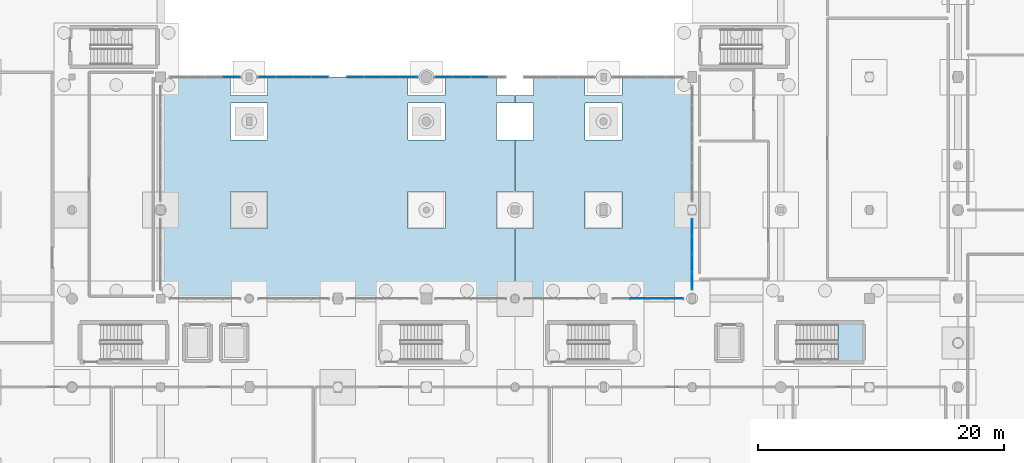
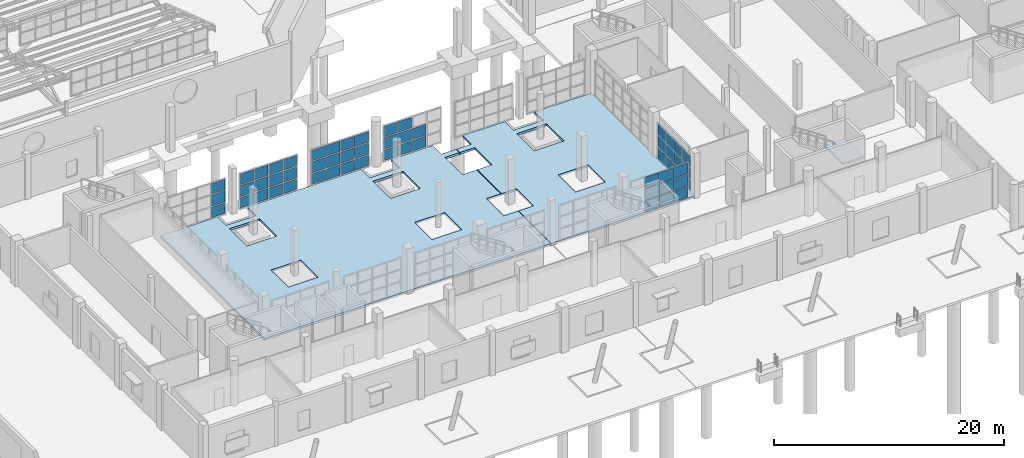
# One storey, part 182 of 285: 56 plates, 3 slabs, 7 elements without a shape of their own.
"""IFC4 building model written with IfcOpenShell, lengths in metres."""

from ifc_helpers import new_model, si_unit, direction, frame, origin, origin_2d, place, context, subcontext, project, spatial, polyline, rectangle, outline, extrude, material, layer, layer_set, type_object, element, aggregate, save


model = new_model("IFC4")

# Units and contexts
model_context = context("Model", 3, precision=1e-05, world=origin(), true_north=direction((0.0, 1.0)))
body_context = subcontext(model_context, "Body", "Model", "MODEL_VIEW")
ifc_project = project(units=[si_unit("LENGTHUNIT", "METRE"), si_unit("AREAUNIT", "SQUARE_METRE"), si_unit("VOLUMEUNIT", "CUBIC_METRE"), si_unit("PLANEANGLEUNIT", "RADIAN"), si_unit("MASSUNIT", "GRAM", prefix="KILO")], contexts=[model_context])

# Site, building, storey
site_placement = place(None, origin())
site = spatial("IfcSite", under=ifc_project, at=site_placement, CompositionType="ELEMENT")
building_placement = place(site_placement, origin())
building = spatial("IfcBuilding", under=site, at=building_placement, Name="Solanera Park Tramway Depot", CompositionType="ELEMENT")
storey_placement = place(building_placement, origin())
storey = spatial("IfcBuildingStorey", under=building, at=storey_placement, Name="L00", CompositionType="ELEMENT", Elevation=0.0)

# Curtain wall, plates
ifc_material_1 = material(Name="Bronze-anodised thermally broken aluminium curtain wall", Category="aluminium")
curtain_wall_type = type_object("IfcCurtainWallType", Name="Courtyard Cloister Unitised Curtain Wall", PredefinedType="NOTDEFINED", material=ifc_material_1)
curtain_wall_1_placement = place(storey_placement, origin())
curtain_wall_1 = element("IfcCurtainWall", 1, at=curtain_wall_1_placement, inside=storey, type_object=curtain_wall_type, Name="L00 Courtyard Cloister Unitised Curtain Wall #077", PredefinedType="NOTDEFINED")
ifc_material_2 = material(Name="Low-E laminated solar-control double glazing", Category="glass")
ifc_layer_1 = layer(ifc_material_2, 0.028076171875)
ifc_layer_set_1 = layer_set([ifc_layer_1], Name="Low-E laminated solar-control double glazing")
plate_type = type_object("IfcPlateType", Name="Curtain Wall Double Glazing Panel 28", PredefinedType="CURTAIN_PANEL", material=ifc_layer_set_1)
plate_1_placement = place(storey_placement, frame((161.27490234375, 25.199951171875, 0.11181640625), z_axis=(0.0, 0.0, 1.0), x_axis=(1.0, 0.0, 0.0)))
plate_1 = element("IfcPlate", 2, at=plate_1_placement, type_object=plate_type, Name="CW-L00-077 Glazing Panel R1.C2", PredefinedType="CURTAIN_PANEL", context=body_context, shape_type="SweptSolid", body=[
    extrude(rectangle(XDim=1.39794921875, YDim=0.028076171875, at=origin_2d()), origin(), (0.0, 0.0, 1.0), 1.119384765625),
])
plate_2_placement = place(storey_placement, frame((162.72509765625, 25.199951171875, 0.11181640625), z_axis=(0.0, 0.0, 1.0), x_axis=(1.0, 0.0, 0.0)))
plate_2 = element("IfcPlate", 3, at=plate_2_placement, type_object=plate_type, Name="CW-L00-077 Glazing Panel R1.C3", PredefinedType="CURTAIN_PANEL", context=body_context, shape_type="SweptSolid", body=[
    extrude(rectangle(XDim=1.39794921875, YDim=0.028076171875, at=origin_2d()), origin(), (0.0, 0.0, 1.0), 1.119384765625),
])
plate_3_placement = place(storey_placement, frame((164.15869140625, 25.199951171875, 0.11181640625), z_axis=(0.0, 0.0, 1.0), x_axis=(1.0, 0.0, 0.0)))
plate_3 = element("IfcPlate", 4, at=plate_3_placement, type_object=plate_type, Name="CW-L00-077 Glazing Panel R1.C4", PredefinedType="CURTAIN_PANEL", context=body_context, shape_type="SweptSolid", body=[
    extrude(rectangle(XDim=1.365478515625, YDim=0.028076171875, at=origin_2d()), origin(), (0.0, 0.0, 1.0), 1.119384765625),
])
plate_4_placement = place(storey_placement, frame((161.27490234375, 25.199951171875, 1.33544921875), z_axis=(0.0, 0.0, 1.0), x_axis=(1.0, 0.0, 0.0)))
plate_4 = element("IfcPlate", 5, at=plate_4_placement, type_object=plate_type, Name="CW-L00-077 Glazing Panel R2.C2", PredefinedType="CURTAIN_PANEL", context=body_context, shape_type="SweptSolid", body=[
    extrude(rectangle(XDim=1.39794921875, YDim=0.028076171875, at=origin_2d()), origin(), (0.0, 0.0, 1.0), 1.179443359375),
])
plate_5_placement = place(storey_placement, frame((162.72509765625, 25.199951171875, 1.33544921875), z_axis=(0.0, 0.0, 1.0), x_axis=(1.0, 0.0, 0.0)))
plate_5 = element("IfcPlate", 6, at=plate_5_placement, type_object=plate_type, Name="CW-L00-077 Glazing Panel R2.C3", PredefinedType="CURTAIN_PANEL", context=body_context, shape_type="SweptSolid", body=[
    extrude(rectangle(XDim=1.39794921875, YDim=0.028076171875, at=origin_2d()), origin(), (0.0, 0.0, 1.0), 1.179443359375),
])
plate_6_placement = place(storey_placement, frame((164.15869140625, 25.199951171875, 1.33544921875), z_axis=(0.0, 0.0, 1.0), x_axis=(1.0, 0.0, 0.0)))
plate_6 = element("IfcPlate", 7, at=plate_6_placement, type_object=plate_type, Name="CW-L00-077 Glazing Panel R2.C4", PredefinedType="CURTAIN_PANEL", context=body_context, shape_type="SweptSolid", body=[
    extrude(rectangle(XDim=1.365478515625, YDim=0.028076171875, at=origin_2d()), origin(), (0.0, 0.0, 1.0), 1.179443359375),
])
plate_7_placement = place(storey_placement, frame((161.27490234375, 25.199951171875, 2.61865234375), z_axis=(0.0, 0.0, 1.0), x_axis=(1.0, 0.0, 0.0)))
plate_7 = element("IfcPlate", 8, at=plate_7_placement, type_object=plate_type, Name="CW-L00-077 Glazing Panel R3.C2", PredefinedType="CURTAIN_PANEL", context=body_context, shape_type="SweptSolid", body=[
    extrude(rectangle(XDim=1.39794921875, YDim=0.028076171875, at=origin_2d()), origin(), (0.0, 0.0, 1.0), 1.119384765625),
])
plate_8_placement = place(storey_placement, frame((162.72509765625, 25.199951171875, 2.61865234375), z_axis=(0.0, 0.0, 1.0), x_axis=(1.0, 0.0, 0.0)))
plate_8 = element("IfcPlate", 9, at=plate_8_placement, type_object=plate_type, Name="CW-L00-077 Glazing Panel R3.C3", PredefinedType="CURTAIN_PANEL", context=body_context, shape_type="SweptSolid", body=[
    extrude(rectangle(XDim=1.39794921875, YDim=0.028076171875, at=origin_2d()), origin(), (0.0, 0.0, 1.0), 1.119384765625),
])
plate_9_placement = place(storey_placement, frame((164.15869140625, 25.199951171875, 2.61865234375), z_axis=(0.0, 0.0, 1.0), x_axis=(1.0, 0.0, 0.0)))
plate_9 = element("IfcPlate", 10, at=plate_9_placement, type_object=plate_type, Name="CW-L00-077 Glazing Panel R3.C4", PredefinedType="CURTAIN_PANEL", context=body_context, shape_type="SweptSolid", body=[
    extrude(rectangle(XDim=1.365478515625, YDim=0.028076171875, at=origin_2d()), origin(), (0.0, 0.0, 1.0), 1.119384765625),
])
aggregate(curtain_wall_1, [plate_1, plate_2, plate_3, plate_4, plate_5, plate_6, plate_7, plate_8, plate_9])

curtain_wall_2_placement = place(storey_placement, origin())
curtain_wall_2 = element("IfcCurtainWall", 11, at=curtain_wall_2_placement, inside=storey, type_object=curtain_wall_type, Name="L00 Courtyard Cloister Unitised Curtain Wall #078", PredefinedType="NOTDEFINED")
plate_10_placement = place(storey_placement, frame((128.15869140625, 43.199951171875, 0.11181640625), z_axis=(0.0, 0.0, 1.0), x_axis=(-1.0, 0.0, 0.0)))
plate_10 = element("IfcPlate", 12, at=plate_10_placement, type_object=plate_type, Name="CW-L00-078 Glazing Panel R1.C1", PredefinedType="CURTAIN_PANEL", context=body_context, shape_type="SweptSolid", body=[
    extrude(rectangle(XDim=1.365478515625, YDim=0.028076171875, at=origin_2d()), origin(), (0.0, 0.0, 1.0), 1.119384765625),
])
plate_11_placement = place(storey_placement, frame((128.15869140625, 43.199951171875, 1.33544921875), z_axis=(0.0, 0.0, 1.0), x_axis=(-1.0, 0.0, 0.0)))
plate_11 = element("IfcPlate", 13, at=plate_11_placement, type_object=plate_type, Name="CW-L00-078 Glazing Panel R2.C1", PredefinedType="CURTAIN_PANEL", context=body_context, shape_type="SweptSolid", body=[
    extrude(rectangle(XDim=1.365478515625, YDim=0.028076171875, at=origin_2d()), origin(), (0.0, 0.0, 1.0), 1.179443359375),
])
plate_12_placement = place(storey_placement, frame((128.15869140625, 43.199951171875, 2.61865234375), z_axis=(0.0, 0.0, 1.0), x_axis=(-1.0, 0.0, 0.0)))
plate_12 = element("IfcPlate", 14, at=plate_12_placement, type_object=plate_type, Name="CW-L00-078 Glazing Panel R3.C1", PredefinedType="CURTAIN_PANEL", context=body_context, shape_type="SweptSolid", body=[
    extrude(rectangle(XDim=1.365478515625, YDim=0.028076171875, at=origin_2d()), origin(), (0.0, 0.0, 1.0), 1.119384765625),
])
aggregate(curtain_wall_2, [plate_10, plate_11, plate_12])

curtain_wall_3_placement = place(storey_placement, origin())
curtain_wall_3 = element("IfcCurtainWall", 15, at=curtain_wall_3_placement, inside=storey, type_object=curtain_wall_type, Name="L00 Courtyard Cloister Unitised Curtain Wall #079", PredefinedType="NOTDEFINED")
plate_13_placement = place(storey_placement, frame((135.358642578125, 43.199951171875, 0.11181640625), z_axis=(0.0, 0.0, 1.0), x_axis=(-1.0, 0.0, 0.0)))
plate_13 = element("IfcPlate", 16, at=plate_13_placement, type_object=plate_type, Name="CW-L00-079 Glazing Panel R1.C1", PredefinedType="CURTAIN_PANEL", context=body_context, shape_type="SweptSolid", body=[
    extrude(rectangle(XDim=1.365478515625, YDim=0.028076171875, at=origin_2d()), origin(), (0.0, 0.0, 1.0), 1.119384765625),
])
plate_14_placement = place(storey_placement, frame((133.925048828125, 43.199951171875, 0.11181640625), z_axis=(0.0, 0.0, 1.0), x_axis=(-1.0, 0.0, 0.0)))
plate_14 = element("IfcPlate", 17, at=plate_14_placement, type_object=plate_type, Name="CW-L00-079 Glazing Panel R1.C2", PredefinedType="CURTAIN_PANEL", context=body_context, shape_type="SweptSolid", body=[
    extrude(rectangle(XDim=1.39794921875, YDim=0.028076171875, at=origin_2d()), origin(), (0.0, 0.0, 1.0), 1.119384765625),
])
plate_15_placement = place(storey_placement, frame((132.47509765625, 43.199951171875, 0.11181640625), z_axis=(0.0, 0.0, 1.0), x_axis=(-1.0, 0.0, 0.0)))
plate_15 = element("IfcPlate", 18, at=plate_15_placement, type_object=plate_type, Name="CW-L00-079 Glazing Panel R1.C3", PredefinedType="CURTAIN_PANEL", context=body_context, shape_type="SweptSolid", body=[
    extrude(rectangle(XDim=1.39794921875, YDim=0.028076171875, at=origin_2d()), origin(), (0.0, 0.0, 1.0), 1.119384765625),
])
plate_16_placement = place(storey_placement, frame((131.041259765625, 43.199951171875, 0.11181640625), z_axis=(0.0, 0.0, 1.0), x_axis=(-1.0, 0.0, 0.0)))
plate_16 = element("IfcPlate", 19, at=plate_16_placement, type_object=plate_type, Name="CW-L00-079 Glazing Panel R1.C4", PredefinedType="CURTAIN_PANEL", context=body_context, shape_type="SweptSolid", body=[
    extrude(rectangle(XDim=1.365478515625, YDim=0.028076171875, at=origin_2d()), origin(), (0.0, 0.0, 1.0), 1.119384765625),
])
plate_17_placement = place(storey_placement, frame((135.358642578125, 43.199951171875, 1.33544921875), z_axis=(0.0, 0.0, 1.0), x_axis=(-1.0, 0.0, 0.0)))
plate_17 = element("IfcPlate", 20, at=plate_17_placement, type_object=plate_type, Name="CW-L00-079 Glazing Panel R2.C1", PredefinedType="CURTAIN_PANEL", context=body_context, shape_type="SweptSolid", body=[
    extrude(rectangle(XDim=1.365478515625, YDim=0.028076171875, at=origin_2d()), origin(), (0.0, 0.0, 1.0), 1.179443359375),
])
plate_18_placement = place(storey_placement, frame((133.925048828125, 43.199951171875, 1.33544921875), z_axis=(0.0, 0.0, 1.0), x_axis=(-1.0, 0.0, 0.0)))
plate_18 = element("IfcPlate", 21, at=plate_18_placement, type_object=plate_type, Name="CW-L00-079 Glazing Panel R2.C2", PredefinedType="CURTAIN_PANEL", context=body_context, shape_type="SweptSolid", body=[
    extrude(rectangle(XDim=1.39794921875, YDim=0.028076171875, at=origin_2d()), origin(), (0.0, 0.0, 1.0), 1.179443359375),
])
plate_19_placement = place(storey_placement, frame((132.47509765625, 43.199951171875, 1.33544921875), z_axis=(0.0, 0.0, 1.0), x_axis=(-1.0, 0.0, 0.0)))
plate_19 = element("IfcPlate", 22, at=plate_19_placement, type_object=plate_type, Name="CW-L00-079 Glazing Panel R2.C3", PredefinedType="CURTAIN_PANEL", context=body_context, shape_type="SweptSolid", body=[
    extrude(rectangle(XDim=1.39794921875, YDim=0.028076171875, at=origin_2d()), origin(), (0.0, 0.0, 1.0), 1.179443359375),
])
plate_20_placement = place(storey_placement, frame((131.041259765625, 43.199951171875, 1.33544921875), z_axis=(0.0, 0.0, 1.0), x_axis=(-1.0, 0.0, 0.0)))
plate_20 = element("IfcPlate", 23, at=plate_20_placement, type_object=plate_type, Name="CW-L00-079 Glazing Panel R2.C4", PredefinedType="CURTAIN_PANEL", context=body_context, shape_type="SweptSolid", body=[
    extrude(rectangle(XDim=1.365478515625, YDim=0.028076171875, at=origin_2d()), origin(), (0.0, 0.0, 1.0), 1.179443359375),
])
plate_21_placement = place(storey_placement, frame((135.358642578125, 43.199951171875, 2.61865234375), z_axis=(0.0, 0.0, 1.0), x_axis=(-1.0, 0.0, 0.0)))
plate_21 = element("IfcPlate", 24, at=plate_21_placement, type_object=plate_type, Name="CW-L00-079 Glazing Panel R3.C1", PredefinedType="CURTAIN_PANEL", context=body_context, shape_type="SweptSolid", body=[
    extrude(rectangle(XDim=1.365478515625, YDim=0.028076171875, at=origin_2d()), origin(), (0.0, 0.0, 1.0), 1.119384765625),
])
plate_22_placement = place(storey_placement, frame((133.925048828125, 43.199951171875, 2.61865234375), z_axis=(0.0, 0.0, 1.0), x_axis=(-1.0, 0.0, 0.0)))
plate_22 = element("IfcPlate", 25, at=plate_22_placement, type_object=plate_type, Name="CW-L00-079 Glazing Panel R3.C2", PredefinedType="CURTAIN_PANEL", context=body_context, shape_type="SweptSolid", body=[
    extrude(rectangle(XDim=1.39794921875, YDim=0.028076171875, at=origin_2d()), origin(), (0.0, 0.0, 1.0), 1.119384765625),
])
plate_23_placement = place(storey_placement, frame((132.47509765625, 43.199951171875, 2.61865234375), z_axis=(0.0, 0.0, 1.0), x_axis=(-1.0, 0.0, 0.0)))
plate_23 = element("IfcPlate", 26, at=plate_23_placement, type_object=plate_type, Name="CW-L00-079 Glazing Panel R3.C3", PredefinedType="CURTAIN_PANEL", context=body_context, shape_type="SweptSolid", body=[
    extrude(rectangle(XDim=1.39794921875, YDim=0.028076171875, at=origin_2d()), origin(), (0.0, 0.0, 1.0), 1.119384765625),
])
plate_24_placement = place(storey_placement, frame((131.041259765625, 43.199951171875, 2.61865234375), z_axis=(0.0, 0.0, 1.0), x_axis=(-1.0, 0.0, 0.0)))
plate_24 = element("IfcPlate", 27, at=plate_24_placement, type_object=plate_type, Name="CW-L00-079 Glazing Panel R3.C4", PredefinedType="CURTAIN_PANEL", context=body_context, shape_type="SweptSolid", body=[
    extrude(rectangle(XDim=1.365478515625, YDim=0.028076171875, at=origin_2d()), origin(), (0.0, 0.0, 1.0), 1.119384765625),
])
aggregate(curtain_wall_3, [plate_13, plate_14, plate_15, plate_16, plate_17, plate_18, plate_19, plate_20, plate_21, plate_22, plate_23, plate_24])

curtain_wall_4_placement = place(storey_placement, origin())
curtain_wall_4 = element("IfcCurtainWall", 28, at=curtain_wall_4_placement, inside=storey, type_object=curtain_wall_type, Name="L00 Courtyard Cloister Unitised Curtain Wall #080", PredefinedType="NOTDEFINED")
plate_25_placement = place(storey_placement, frame((142.558837890625, 43.199951171875, 0.11181640625), z_axis=(0.0, 0.0, 1.0), x_axis=(-1.0, 0.0, 0.0)))
plate_25 = element("IfcPlate", 29, at=plate_25_placement, type_object=plate_type, Name="CW-L00-080 Glazing Panel R1.C1", PredefinedType="CURTAIN_PANEL", context=body_context, shape_type="SweptSolid", body=[
    extrude(rectangle(XDim=1.365478515625, YDim=0.028076171875, at=origin_2d()), origin(), (0.0, 0.0, 1.0), 1.119384765625),
])
plate_26_placement = place(storey_placement, frame((141.125, 43.199951171875, 0.11181640625), z_axis=(0.0, 0.0, 1.0), x_axis=(-1.0, 0.0, 0.0)))
plate_26 = element("IfcPlate", 30, at=plate_26_placement, type_object=plate_type, Name="CW-L00-080 Glazing Panel R1.C2", PredefinedType="CURTAIN_PANEL", context=body_context, shape_type="SweptSolid", body=[
    extrude(rectangle(XDim=1.39794921875, YDim=0.028076171875, at=origin_2d()), origin(), (0.0, 0.0, 1.0), 1.119384765625),
])
plate_27_placement = place(storey_placement, frame((139.675048828125, 43.199951171875, 0.11181640625), z_axis=(0.0, 0.0, 1.0), x_axis=(-1.0, 0.0, 0.0)))
plate_27 = element("IfcPlate", 31, at=plate_27_placement, type_object=plate_type, Name="CW-L00-080 Glazing Panel R1.C3", PredefinedType="CURTAIN_PANEL", context=body_context, shape_type="SweptSolid", body=[
    extrude(rectangle(XDim=1.39794921875, YDim=0.028076171875, at=origin_2d()), origin(), (0.0, 0.0, 1.0), 1.119384765625),
])
plate_28_placement = place(storey_placement, frame((138.2412109375, 43.199951171875, 0.11181640625), z_axis=(0.0, 0.0, 1.0), x_axis=(-1.0, 0.0, 0.0)))
plate_28 = element("IfcPlate", 32, at=plate_28_placement, type_object=plate_type, Name="CW-L00-080 Glazing Panel R1.C4", PredefinedType="CURTAIN_PANEL", context=body_context, shape_type="SweptSolid", body=[
    extrude(rectangle(XDim=1.365478515625, YDim=0.028076171875, at=origin_2d()), origin(), (0.0, 0.0, 1.0), 1.119384765625),
])
plate_29_placement = place(storey_placement, frame((142.558837890625, 43.199951171875, 1.33544921875), z_axis=(0.0, 0.0, 1.0), x_axis=(-1.0, 0.0, 0.0)))
plate_29 = element("IfcPlate", 33, at=plate_29_placement, type_object=plate_type, Name="CW-L00-080 Glazing Panel R2.C1", PredefinedType="CURTAIN_PANEL", context=body_context, shape_type="SweptSolid", body=[
    extrude(rectangle(XDim=1.365478515625, YDim=0.028076171875, at=origin_2d()), origin(), (0.0, 0.0, 1.0), 1.179443359375),
])
plate_30_placement = place(storey_placement, frame((141.125, 43.199951171875, 1.33544921875), z_axis=(0.0, 0.0, 1.0), x_axis=(-1.0, 0.0, 0.0)))
plate_30 = element("IfcPlate", 34, at=plate_30_placement, type_object=plate_type, Name="CW-L00-080 Glazing Panel R2.C2", PredefinedType="CURTAIN_PANEL", context=body_context, shape_type="SweptSolid", body=[
    extrude(rectangle(XDim=1.39794921875, YDim=0.028076171875, at=origin_2d()), origin(), (0.0, 0.0, 1.0), 1.179443359375),
])
plate_31_placement = place(storey_placement, frame((139.675048828125, 43.199951171875, 1.33544921875), z_axis=(0.0, 0.0, 1.0), x_axis=(-1.0, 0.0, 0.0)))
plate_31 = element("IfcPlate", 35, at=plate_31_placement, type_object=plate_type, Name="CW-L00-080 Glazing Panel R2.C3", PredefinedType="CURTAIN_PANEL", context=body_context, shape_type="SweptSolid", body=[
    extrude(rectangle(XDim=1.39794921875, YDim=0.028076171875, at=origin_2d()), origin(), (0.0, 0.0, 1.0), 1.179443359375),
])
plate_32_placement = place(storey_placement, frame((138.2412109375, 43.199951171875, 1.33544921875), z_axis=(0.0, 0.0, 1.0), x_axis=(-1.0, 0.0, 0.0)))
plate_32 = element("IfcPlate", 36, at=plate_32_placement, type_object=plate_type, Name="CW-L00-080 Glazing Panel R2.C4", PredefinedType="CURTAIN_PANEL", context=body_context, shape_type="SweptSolid", body=[
    extrude(rectangle(XDim=1.365478515625, YDim=0.028076171875, at=origin_2d()), origin(), (0.0, 0.0, 1.0), 1.179443359375),
])
plate_33_placement = place(storey_placement, frame((142.558837890625, 43.199951171875, 2.61865234375), z_axis=(0.0, 0.0, 1.0), x_axis=(-1.0, 0.0, 0.0)))
plate_33 = element("IfcPlate", 37, at=plate_33_placement, type_object=plate_type, Name="CW-L00-080 Glazing Panel R3.C1", PredefinedType="CURTAIN_PANEL", context=body_context, shape_type="SweptSolid", body=[
    extrude(rectangle(XDim=1.365478515625, YDim=0.028076171875, at=origin_2d()), origin(), (0.0, 0.0, 1.0), 1.119384765625),
])
plate_34_placement = place(storey_placement, frame((141.125, 43.199951171875, 2.61865234375), z_axis=(0.0, 0.0, 1.0), x_axis=(-1.0, 0.0, 0.0)))
plate_34 = element("IfcPlate", 38, at=plate_34_placement, type_object=plate_type, Name="CW-L00-080 Glazing Panel R3.C2", PredefinedType="CURTAIN_PANEL", context=body_context, shape_type="SweptSolid", body=[
    extrude(rectangle(XDim=1.39794921875, YDim=0.028076171875, at=origin_2d()), origin(), (0.0, 0.0, 1.0), 1.119384765625),
])
plate_35_placement = place(storey_placement, frame((139.675048828125, 43.199951171875, 2.61865234375), z_axis=(0.0, 0.0, 1.0), x_axis=(-1.0, 0.0, 0.0)))
plate_35 = element("IfcPlate", 39, at=plate_35_placement, type_object=plate_type, Name="CW-L00-080 Glazing Panel R3.C3", PredefinedType="CURTAIN_PANEL", context=body_context, shape_type="SweptSolid", body=[
    extrude(rectangle(XDim=1.39794921875, YDim=0.028076171875, at=origin_2d()), origin(), (0.0, 0.0, 1.0), 1.119384765625),
])
plate_36_placement = place(storey_placement, frame((138.2412109375, 43.199951171875, 2.61865234375), z_axis=(0.0, 0.0, 1.0), x_axis=(-1.0, 0.0, 0.0)))
plate_36 = element("IfcPlate", 40, at=plate_36_placement, type_object=plate_type, Name="CW-L00-080 Glazing Panel R3.C4", PredefinedType="CURTAIN_PANEL", context=body_context, shape_type="SweptSolid", body=[
    extrude(rectangle(XDim=1.365478515625, YDim=0.028076171875, at=origin_2d()), origin(), (0.0, 0.0, 1.0), 1.119384765625),
])
aggregate(curtain_wall_4, [plate_25, plate_26, plate_27, plate_28, plate_29, plate_30, plate_31, plate_32, plate_33, plate_34, plate_35, plate_36])

curtain_wall_5_placement = place(storey_placement, origin())
curtain_wall_5 = element("IfcCurtainWall", 41, at=curtain_wall_5_placement, inside=storey, type_object=curtain_wall_type, Name="L00 Courtyard Cloister Unitised Curtain Wall #081", PredefinedType="NOTDEFINED")
plate_37_placement = place(storey_placement, frame((148.324951171875, 43.199951171875, 0.11181640625), z_axis=(0.0, 0.0, 1.0), x_axis=(-1.0, 0.0, 0.0)))
plate_37 = element("IfcPlate", 42, at=plate_37_placement, type_object=plate_type, Name="CW-L00-081 Glazing Panel R1.C2", PredefinedType="CURTAIN_PANEL", context=body_context, shape_type="SweptSolid", body=[
    extrude(rectangle(XDim=1.39794921875, YDim=0.028076171875, at=origin_2d()), origin(), (0.0, 0.0, 1.0), 1.119384765625),
])
plate_38_placement = place(storey_placement, frame((146.875, 43.199951171875, 0.11181640625), z_axis=(0.0, 0.0, 1.0), x_axis=(-1.0, 0.0, 0.0)))
plate_38 = element("IfcPlate", 43, at=plate_38_placement, type_object=plate_type, Name="CW-L00-081 Glazing Panel R1.C3", PredefinedType="CURTAIN_PANEL", context=body_context, shape_type="SweptSolid", body=[
    extrude(rectangle(XDim=1.39794921875, YDim=0.028076171875, at=origin_2d()), origin(), (0.0, 0.0, 1.0), 1.119384765625),
])
plate_39_placement = place(storey_placement, frame((145.441162109375, 43.199951171875, 0.11181640625), z_axis=(0.0, 0.0, 1.0), x_axis=(-1.0, 0.0, 0.0)))
plate_39 = element("IfcPlate", 44, at=plate_39_placement, type_object=plate_type, Name="CW-L00-081 Glazing Panel R1.C4", PredefinedType="CURTAIN_PANEL", context=body_context, shape_type="SweptSolid", body=[
    extrude(rectangle(XDim=1.365478515625, YDim=0.028076171875, at=origin_2d()), origin(), (0.0, 0.0, 1.0), 1.119384765625),
])
plate_40_placement = place(storey_placement, frame((148.324951171875, 43.199951171875, 1.33544921875), z_axis=(0.0, 0.0, 1.0), x_axis=(-1.0, 0.0, 0.0)))
plate_40 = element("IfcPlate", 45, at=plate_40_placement, type_object=plate_type, Name="CW-L00-081 Glazing Panel R2.C2", PredefinedType="CURTAIN_PANEL", context=body_context, shape_type="SweptSolid", body=[
    extrude(rectangle(XDim=1.39794921875, YDim=0.028076171875, at=origin_2d()), origin(), (0.0, 0.0, 1.0), 1.179443359375),
])
plate_41_placement = place(storey_placement, frame((146.875, 43.199951171875, 1.33544921875), z_axis=(0.0, 0.0, 1.0), x_axis=(-1.0, 0.0, 0.0)))
plate_41 = element("IfcPlate", 46, at=plate_41_placement, type_object=plate_type, Name="CW-L00-081 Glazing Panel R2.C3", PredefinedType="CURTAIN_PANEL", context=body_context, shape_type="SweptSolid", body=[
    extrude(rectangle(XDim=1.39794921875, YDim=0.028076171875, at=origin_2d()), origin(), (0.0, 0.0, 1.0), 1.179443359375),
])
plate_42_placement = place(storey_placement, frame((145.441162109375, 43.199951171875, 1.33544921875), z_axis=(0.0, 0.0, 1.0), x_axis=(-1.0, 0.0, 0.0)))
plate_42 = element("IfcPlate", 47, at=plate_42_placement, type_object=plate_type, Name="CW-L00-081 Glazing Panel R2.C4", PredefinedType="CURTAIN_PANEL", context=body_context, shape_type="SweptSolid", body=[
    extrude(rectangle(XDim=1.365478515625, YDim=0.028076171875, at=origin_2d()), origin(), (0.0, 0.0, 1.0), 1.179443359375),
])
plate_43_placement = place(storey_placement, frame((146.875, 43.199951171875, 2.61865234375), z_axis=(0.0, 0.0, 1.0), x_axis=(-1.0, 0.0, 0.0)))
plate_43 = element("IfcPlate", 48, at=plate_43_placement, type_object=plate_type, Name="CW-L00-081 Glazing Panel R3.C3", PredefinedType="CURTAIN_PANEL", context=body_context, shape_type="SweptSolid", body=[
    extrude(rectangle(XDim=1.39794921875, YDim=0.028076171875, at=origin_2d()), origin(), (0.0, 0.0, 1.0), 1.119384765625),
])
plate_44_placement = place(storey_placement, frame((145.441162109375, 43.199951171875, 2.61865234375), z_axis=(0.0, 0.0, 1.0), x_axis=(-1.0, 0.0, 0.0)))
plate_44 = element("IfcPlate", 49, at=plate_44_placement, type_object=plate_type, Name="CW-L00-081 Glazing Panel R3.C4", PredefinedType="CURTAIN_PANEL", context=body_context, shape_type="SweptSolid", body=[
    extrude(rectangle(XDim=1.365478515625, YDim=0.028076171875, at=origin_2d()), origin(), (0.0, 0.0, 1.0), 1.119384765625),
])
aggregate(curtain_wall_5, [plate_37, plate_38, plate_39, plate_40, plate_41, plate_42, plate_43, plate_44])

curtain_wall_6_placement = place(storey_placement, origin())
curtain_wall_6 = element("IfcCurtainWall", 50, at=curtain_wall_6_placement, inside=storey, type_object=curtain_wall_type, Name="L00 Courtyard Cloister Unitised Curtain Wall #085", PredefinedType="NOTDEFINED")
plate_45_placement = place(storey_placement, frame((165.60009765625, 30.958740234375, 0.11181640625), z_axis=(0.0, 0.0, 1.0), x_axis=(0.0, -1.0, 0.0)))
plate_45 = element("IfcPlate", 51, at=plate_45_placement, type_object=plate_type, Name="CW-L00-085 Glazing Panel R1.C1", PredefinedType="CURTAIN_PANEL", context=body_context, shape_type="SweptSolid", body=[
    extrude(rectangle(XDim=1.365478515625, YDim=0.028076171875, at=origin_2d()), origin(), (0.0, 0.0, 1.0), 1.119384765625),
])
plate_46_placement = place(storey_placement, frame((165.60009765625, 29.52490234375, 0.11181640625), z_axis=(0.0, 0.0, 1.0), x_axis=(0.0, -1.0, 0.0)))
plate_46 = element("IfcPlate", 52, at=plate_46_placement, type_object=plate_type, Name="CW-L00-085 Glazing Panel R1.C2", PredefinedType="CURTAIN_PANEL", context=body_context, shape_type="SweptSolid", body=[
    extrude(rectangle(XDim=1.39794921875, YDim=0.028076171875, at=origin_2d()), origin(), (0.0, 0.0, 1.0), 1.119384765625),
])
plate_47_placement = place(storey_placement, frame((165.60009765625, 28.074951171875, 0.11181640625), z_axis=(0.0, 0.0, 1.0), x_axis=(0.0, -1.0, 0.0)))
plate_47 = element("IfcPlate", 53, at=plate_47_placement, type_object=plate_type, Name="CW-L00-085 Glazing Panel R1.C3", PredefinedType="CURTAIN_PANEL", context=body_context, shape_type="SweptSolid", body=[
    extrude(rectangle(XDim=1.39794921875, YDim=0.028076171875, at=origin_2d()), origin(), (0.0, 0.0, 1.0), 1.119384765625),
])
plate_48_placement = place(storey_placement, frame((165.60009765625, 26.64111328125, 0.11181640625), z_axis=(0.0, 0.0, 1.0), x_axis=(0.0, -1.0, 0.0)))
plate_48 = element("IfcPlate", 54, at=plate_48_placement, type_object=plate_type, Name="CW-L00-085 Glazing Panel R1.C4", PredefinedType="CURTAIN_PANEL", context=body_context, shape_type="SweptSolid", body=[
    extrude(rectangle(XDim=1.365478515625, YDim=0.028076171875, at=origin_2d()), origin(), (0.0, 0.0, 1.0), 1.119384765625),
])
plate_49_placement = place(storey_placement, frame((165.60009765625, 30.958740234375, 1.33544921875), z_axis=(0.0, 0.0, 1.0), x_axis=(0.0, -1.0, 0.0)))
plate_49 = element("IfcPlate", 55, at=plate_49_placement, type_object=plate_type, Name="CW-L00-085 Glazing Panel R2.C1", PredefinedType="CURTAIN_PANEL", context=body_context, shape_type="SweptSolid", body=[
    extrude(rectangle(XDim=1.365478515625, YDim=0.028076171875, at=origin_2d()), origin(), (0.0, 0.0, 1.0), 1.179443359375),
])
plate_50_placement = place(storey_placement, frame((165.60009765625, 29.52490234375, 1.33544921875), z_axis=(0.0, 0.0, 1.0), x_axis=(0.0, -1.0, 0.0)))
plate_50 = element("IfcPlate", 56, at=plate_50_placement, type_object=plate_type, Name="CW-L00-085 Glazing Panel R2.C2", PredefinedType="CURTAIN_PANEL", context=body_context, shape_type="SweptSolid", body=[
    extrude(rectangle(XDim=1.39794921875, YDim=0.028076171875, at=origin_2d()), origin(), (0.0, 0.0, 1.0), 1.179443359375),
])
plate_51_placement = place(storey_placement, frame((165.60009765625, 28.074951171875, 1.33544921875), z_axis=(0.0, 0.0, 1.0), x_axis=(0.0, -1.0, 0.0)))
plate_51 = element("IfcPlate", 57, at=plate_51_placement, type_object=plate_type, Name="CW-L00-085 Glazing Panel R2.C3", PredefinedType="CURTAIN_PANEL", context=body_context, shape_type="SweptSolid", body=[
    extrude(rectangle(XDim=1.39794921875, YDim=0.028076171875, at=origin_2d()), origin(), (0.0, 0.0, 1.0), 1.179443359375),
])
plate_52_placement = place(storey_placement, frame((165.60009765625, 26.64111328125, 1.33544921875), z_axis=(0.0, 0.0, 1.0), x_axis=(0.0, -1.0, 0.0)))
plate_52 = element("IfcPlate", 58, at=plate_52_placement, type_object=plate_type, Name="CW-L00-085 Glazing Panel R2.C4", PredefinedType="CURTAIN_PANEL", context=body_context, shape_type="SweptSolid", body=[
    extrude(rectangle(XDim=1.365478515625, YDim=0.028076171875, at=origin_2d()), origin(), (0.0, 0.0, 1.0), 1.179443359375),
])
plate_53_placement = place(storey_placement, frame((165.60009765625, 30.958740234375, 2.61865234375), z_axis=(0.0, 0.0, 1.0), x_axis=(0.0, -1.0, 0.0)))
plate_53 = element("IfcPlate", 59, at=plate_53_placement, type_object=plate_type, Name="CW-L00-085 Glazing Panel R3.C1", PredefinedType="CURTAIN_PANEL", context=body_context, shape_type="SweptSolid", body=[
    extrude(rectangle(XDim=1.365478515625, YDim=0.028076171875, at=origin_2d()), origin(), (0.0, 0.0, 1.0), 1.119384765625),
])
plate_54_placement = place(storey_placement, frame((165.60009765625, 29.52490234375, 2.61865234375), z_axis=(0.0, 0.0, 1.0), x_axis=(0.0, -1.0, 0.0)))
plate_54 = element("IfcPlate", 60, at=plate_54_placement, type_object=plate_type, Name="CW-L00-085 Glazing Panel R3.C2", PredefinedType="CURTAIN_PANEL", context=body_context, shape_type="SweptSolid", body=[
    extrude(rectangle(XDim=1.39794921875, YDim=0.028076171875, at=origin_2d()), origin(), (0.0, 0.0, 1.0), 1.119384765625),
])
plate_55_placement = place(storey_placement, frame((165.60009765625, 28.074951171875, 2.61865234375), z_axis=(0.0, 0.0, 1.0), x_axis=(0.0, -1.0, 0.0)))
plate_55 = element("IfcPlate", 61, at=plate_55_placement, type_object=plate_type, Name="CW-L00-085 Glazing Panel R3.C3", PredefinedType="CURTAIN_PANEL", context=body_context, shape_type="SweptSolid", body=[
    extrude(rectangle(XDim=1.39794921875, YDim=0.028076171875, at=origin_2d()), origin(), (0.0, 0.0, 1.0), 1.119384765625),
])
plate_56_placement = place(storey_placement, frame((165.60009765625, 26.64111328125, 2.61865234375), z_axis=(0.0, 0.0, 1.0), x_axis=(0.0, -1.0, 0.0)))
plate_56 = element("IfcPlate", 62, at=plate_56_placement, type_object=plate_type, Name="CW-L00-085 Glazing Panel R3.C4", PredefinedType="CURTAIN_PANEL", context=body_context, shape_type="SweptSolid", body=[
    extrude(rectangle(XDim=1.365478515625, YDim=0.028076171875, at=origin_2d()), origin(), (0.0, 0.0, 1.0), 1.119384765625),
])
aggregate(curtain_wall_6, [plate_45, plate_46, plate_47, plate_48, plate_49, plate_50, plate_51, plate_52, plate_53, plate_54, plate_55, plate_56])

# Slabs
ifc_material_3 = material(Name="Concrete N40 (C40/50)", Category="concrete")
ifc_layer_2 = layer(ifc_material_3, 0.219970703125)
ifc_layer_set_2 = layer_set([ifc_layer_2], Name="Concrete N40 (C40/50)")
slab_type_1 = type_object("IfcSlabType", Name="Slab Ext 220", PredefinedType="FLOOR", material=ifc_layer_set_2)
slab_1_placement = place(storey_placement, frame((0.0, 0.0, -0.219970703125)))
element("IfcSlab", 63, at=slab_1_placement, inside=storey, type_object=slab_type_1, Name="Patio de las Palmas Cloister Walk West", PredefinedType="FLOOR", context=body_context, shape_type="SweptSolid", body=[
    extrude(outline(polyline([(145.5, 41.699951171875), (145.5, 43.199951171875), (149.699951171875, 43.199951171875), (149.699951171875, 41.699951171875), (151.14990234375, 41.699951171875), (151.14990234375, 41.10009765625), (149.699951171875, 41.10009765625), (149.699951171875, 38.10009765625), (151.14990234375, 38.10009765625), (151.14990234375, 33.89990234375), (149.699951171875, 33.89990234375), (149.699951171875, 30.89990234375), (151.14990234375, 30.89990234375), (151.14990234375, 25.199951171875), (122.39990234375, 25.199951171875), (122.39990234375, 43.199951171875), (128.10009765625, 43.199951171875), (128.10009765625, 41.699951171875), (131.10009765625, 41.699951171875), (131.10009765625, 43.199951171875), (142.5, 43.199951171875), (142.5, 41.699951171875), (145.5, 41.699951171875)]), holes=[polyline([(131.10009765625, 33.89990234375), (128.10009765625, 33.89990234375), (128.10009765625, 30.89990234375), (131.10009765625, 30.89990234375), (131.10009765625, 33.89990234375)]), polyline([(131.10009765625, 38.10009765625), (131.10009765625, 41.10009765625), (128.10009765625, 41.10009765625), (128.10009765625, 38.10009765625), (131.10009765625, 38.10009765625)]), polyline([(142.5, 33.89990234375), (142.5, 30.89990234375), (145.5, 30.89990234375), (145.5, 33.89990234375), (142.5, 33.89990234375)]), polyline([(145.5, 41.10009765625), (142.5, 41.10009765625), (142.5, 38.10009765625), (145.5, 38.10009765625), (145.5, 41.10009765625)])]), origin(), (0.0, 0.0, 1.0), 0.219970703125),
])
slab_2_placement = place(storey_placement, frame((0.0, 0.0, -0.219970703125)))
element("IfcSlab", 64, at=slab_2_placement, inside=storey, type_object=slab_type_1, Name="Patio de las Palmas Cloister Walk East", PredefinedType="FLOOR", context=body_context, shape_type="SweptSolid", body=[
    extrude(outline(polyline([(152.699951171875, 30.89990234375), (152.699951171875, 33.89990234375), (151.199951171875, 33.89990234375), (151.199951171875, 38.10009765625), (152.699951171875, 38.10009765625), (152.699951171875, 41.10009765625), (151.199951171875, 41.10009765625), (151.199951171875, 41.699951171875), (152.699951171875, 41.699951171875), (152.699951171875, 43.199951171875), (156.89990234375, 43.199951171875), (156.89990234375, 41.699951171875), (159.89990234375, 41.699951171875), (159.89990234375, 43.199951171875), (165.60009765625, 43.199951171875), (165.60009765625, 25.199951171875), (151.199951171875, 25.199951171875), (151.199951171875, 30.89990234375), (152.699951171875, 30.89990234375)]), holes=[polyline([(156.89990234375, 30.89990234375), (159.89990234375, 30.89990234375), (159.89990234375, 33.89990234375), (156.89990234375, 33.89990234375), (156.89990234375, 30.89990234375)]), polyline([(156.89990234375, 41.10009765625), (156.89990234375, 38.10009765625), (159.89990234375, 38.10009765625), (159.89990234375, 41.10009765625), (156.89990234375, 41.10009765625)])]), origin(), (0.0, 0.0, 1.0), 0.219970703125),
])

# Stair, slab
ifc_material_4 = material(Name="Concrete N40 (C40/50)", Category="concrete")
stair_type = type_object("IfcStairType", Name="Stair Half-Turn Dogleg 4800", PredefinedType="HALF_TURN_STAIR", material=ifc_material_4)
stair_placement = place(storey_placement, origin())
stair = element("IfcStair", 65, at=stair_placement, inside=storey, type_object=stair_type, Name="ST-04 L00 Half-Turn Stair", PredefinedType="HALF_TURN_STAIR")
ifc_material_5 = material(Name="Concrete N40 (C40/50)", Category="concrete")
ifc_layer_3 = layer(ifc_material_5, 0.199951171875)
ifc_layer_set_3 = layer_set([ifc_layer_3], Name="Concrete N40 (C40/50)")
slab_type_2 = type_object("IfcSlabType", Name="Slab Stair Landing 200", PredefinedType="LANDING", material=ifc_layer_set_3)
slab_3_placement = place(storey_placement, frame((0.0, 0.0, 2.199951171875)))
slab_3 = element("IfcSlab", 66, at=slab_3_placement, type_object=slab_type_2, Name="ST-04 L00 Half-Landing 1", PredefinedType="LANDING", context=body_context, shape_type="SweptSolid", body=[
    extrude(outline(polyline([(177.4599609375, 20.080078125), (179.52001953125, 20.080078125), (179.52001953125, 23.219970703125), (177.4599609375, 23.219970703125), (177.4599609375, 20.080078125)])), origin(), (0.0, 0.0, 1.0), 0.199951171875),
])
aggregate(stair, [slab_3])

save(model, "model.ifc")
